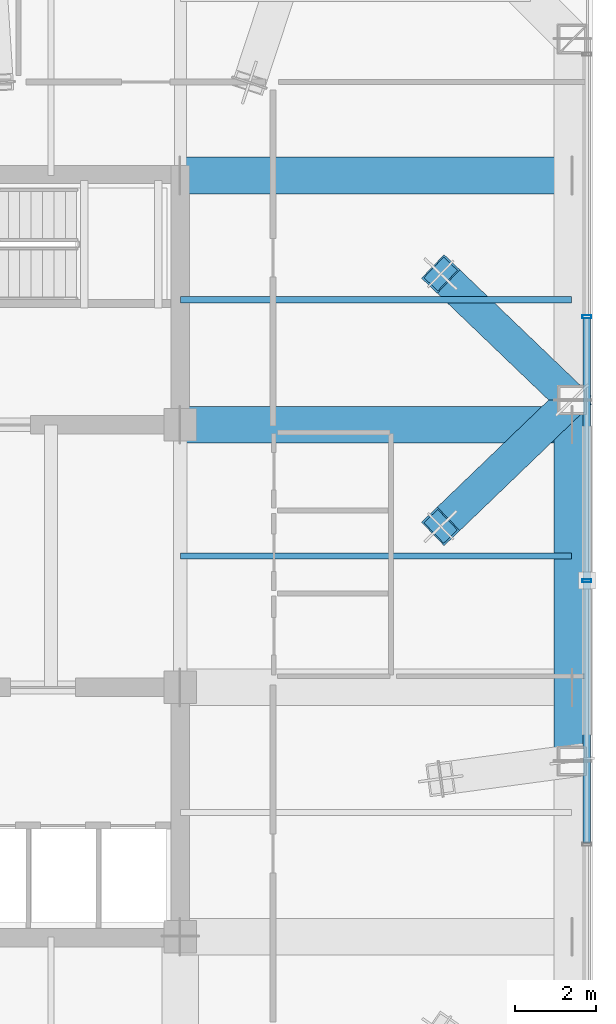
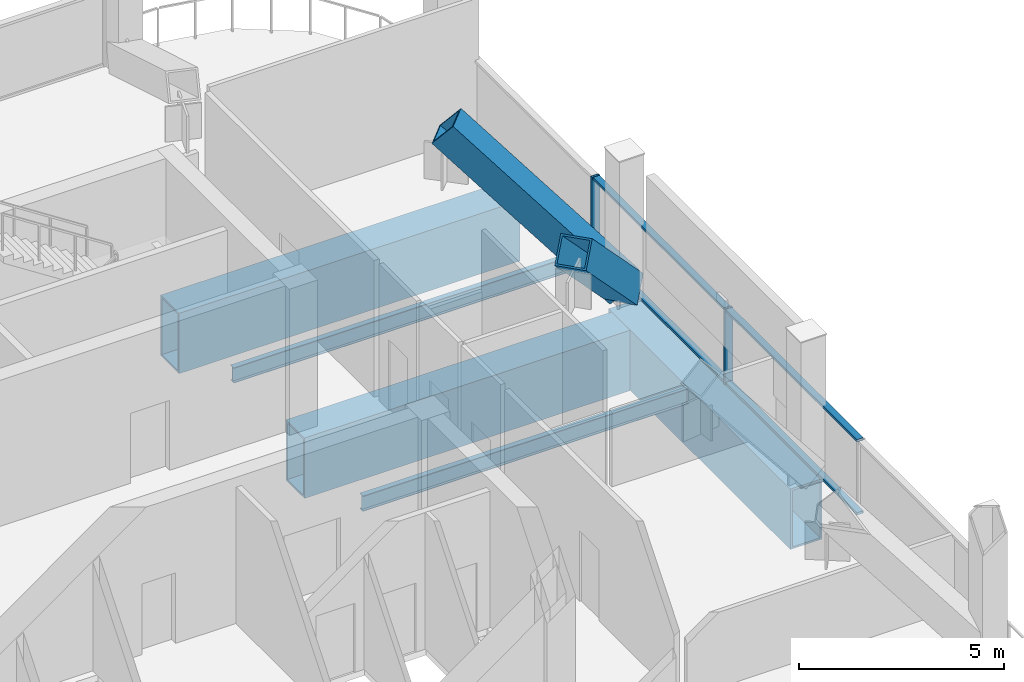
# One storey, part 9 of 19: 8 members, 5 beams, 1 element without a shape of its own.
"""IFC4 building model written with IfcOpenShell, lengths in metres."""

from ifc_helpers import new_model, si_unit, direction, frame, origin, origin_2d, place, context, subcontext, project, spatial, hollow_rectangle, i_section, extrude, material, layer, layer_set, material_profile, profile_set, type_object, element, aggregate, save


model = new_model("IFC4")

# Units and contexts
model_context = context("Model", 3, precision=1e-05, world=origin(), true_north=direction((0.0, 1.0)))
body_context = subcontext(model_context, "Body", "Model", "MODEL_VIEW")
ifc_project = project(units=[si_unit("LENGTHUNIT", "METRE"), si_unit("AREAUNIT", "SQUARE_METRE"), si_unit("VOLUMEUNIT", "CUBIC_METRE"), si_unit("PLANEANGLEUNIT", "RADIAN"), si_unit("MASSUNIT", "GRAM", prefix="KILO")], contexts=[model_context])

# Site, building, storey
site_placement = place(None, origin())
site = spatial("IfcSite", under=ifc_project, at=site_placement, CompositionType="ELEMENT")
building_placement = place(site_placement, origin())
building = spatial("IfcBuilding", under=site, at=building_placement, Name="Qhalaya Broadcast Tower", CompositionType="ELEMENT")
storey_placement = place(building_placement, frame((0.0, 0.0, 226.949951171875)))
storey = spatial("IfcBuildingStorey", under=building, at=storey_placement, Name="L67", CompositionType="ELEMENT", Elevation=226.949951171875)

# Beams
ifc_material_1 = material(Name="Structural Steel ASTM A572 Grade 50", Category="steel")
ifc_material_profile_1 = material_profile(ifc_material_1, hollow_rectangle(XDim=0.89990234375, YDim=1.800048828125, WallThickness=0.06005859375, at=origin_2d()), Name="BOX 900x1800x60")
ifc_profile_set_1 = profile_set([ifc_material_profile_1], Name="Structural Steel ASTM A572 Grade 50")
beam_type_1 = type_object("IfcBeamType", Name="Block Cantilever Transfer Box Girder TG1", PredefinedType="USERDEFINED", material=ifc_profile_set_1)
beam_placement = place(storey_placement, frame((19.0, -4.433349609375, -1.08984375), z_axis=(0.0, 1.0, 0.0), x_axis=(-1.0, 0.0, 0.0)))
element("IfcBeam", 1, at=beam_placement, inside=storey, type_object=beam_type_1, Name="L67 TG1 L67-SPR-06", ObjectType="GIRDER", PredefinedType="USERDEFINED", context=body_context, shape_type="SweptSolid", body=[
    extrude(hollow_rectangle(XDim=0.89990234375, YDim=1.800048828125, WallThickness=0.06005859375, at=origin_2d()), origin(), (0.0, 0.0, 1.0), 8.86669921875),
])
for number, where, z_axis, x_axis, name in (
    (2, (9.375, 3.824951171875, -1.08984375), (1.0, 0.0, 0.0), (0.0, 1.0, 0.0), "L67 TG1 L67-PGYE3-1"),
    (3, (9.375, 9.949951171875, -1.08984375), (1.0, 0.0, 0.0), (0.0, 1.0, 0.0), "L67 TG1 L67-PGYE4-1"),
):
    element("IfcBeam", number, at=place(storey_placement, frame(where, z_axis=z_axis, x_axis=x_axis)), inside=storey, type_object=beam_type_1, Name=name, ObjectType="GIRDER", PredefinedType="USERDEFINED", context=body_context, shape_type="SweptSolid", body=[
        extrude(hollow_rectangle(XDim=0.89990234375, YDim=1.800048828125, WallThickness=0.06005859375, at=origin_2d()), origin(), (0.0, 0.0, 1.0), 9.60498046875),
    ])
ifc_material_2 = material(Name="Structural Steel ASTM A992 Grade 50", Category="steel")
ifc_material_profile_2 = material_profile(ifc_material_2, i_section(OverallWidth=0.154052734375, OverallDepth=0.458984375, WebThickness=0.009033203125, FlangeThickness=0.015380859375, at=origin_2d()), Name="W18X46")
ifc_profile_set_2 = profile_set([ifc_material_profile_2], Name="Structural Steel ASTM A992 Grade 50")
beam_type_2 = type_object("IfcBeamType", Name="Composite Floor Joist J04", PredefinedType="JOIST", material=ifc_profile_set_2)
for number, where, z_axis, x_axis, name in (
    (4, (9.375, 0.60009765625, -0.41943359375), (1.0, 0.0, 0.0), (0.0, 1.0, 0.0), "L67 J04 L67-JWE4E-1"),
    (5, (9.375, 6.89990234375, -0.41943359375), (1.0, 0.0, 0.0), (0.0, 1.0, 0.0), "L67 J04 L67-JWE5E-1"),
):
    element("IfcBeam", number, at=place(storey_placement, frame(where, z_axis=z_axis, x_axis=x_axis)), inside=storey, type_object=beam_type_2, Name=name, PredefinedType="JOIST", context=body_context, shape_type="SweptSolid", body=[
        extrude(i_section(OverallWidth=0.154052734375, OverallDepth=0.458984375, WebThickness=0.009033203125, FlangeThickness=0.015380859375, at=origin_2d()), origin(), (0.0, 0.0, 1.0), 9.60498046875),
    ])

# Curtain wall, members
ifc_material_3 = material(Name="Fired Architectural Terracotta", Category="masonry")
ifc_layer = layer(ifc_material_3, 0.219970703125, Name="Fired Architectural Terracotta")
ifc_layer_set = layer_set([ifc_layer], Name="Fired Architectural Terracotta")
curtain_wall_type = type_object("IfcCurtainWallType", Name="Block-Cap Unitised Terracotta Spandrel Wall CW-07", PredefinedType="NOTDEFINED", material=ifc_layer_set)
curtain_wall_placement = place(storey_placement, origin())
curtain_wall = element("IfcCurtainWall", 6, at=curtain_wall_placement, inside=storey, type_object=curtain_wall_type, Name="L67 Unitised Curtain Wall L67-CW-E", PredefinedType="NOTDEFINED")
ifc_material_4 = material(Name="Anodised Aluminium 6063-T6", Category="aluminium")
ifc_material_profile_3 = material_profile(ifc_material_4, hollow_rectangle(XDim=0.074951171875, YDim=0.219970703125, WallThickness=0.00390625, at=origin_2d()), Name="ALU-MUL 75x220x4")
ifc_profile_set_3 = profile_set([ifc_material_profile_3], Name="Anodised Aluminium 6063-T6")
member_type_1 = type_object("IfcMemberType", Name="Unitised Curtain-Wall Mullion M01", PredefinedType="MULLION", material=ifc_profile_set_3)
member_1_placement = place(storey_placement, frame((19.360107421875, 6.48095703125, 0.0), z_axis=(0.0, 0.0, 1.0), x_axis=(0.0, -1.0, 0.0)))
member_1 = element("IfcMember", 7, at=member_1_placement, type_object=member_type_1, Name="CW-07 mullion 2", PredefinedType="MULLION", context=body_context, shape_type="SweptSolid", body=[
    extrude(hollow_rectangle(XDim=0.074951171875, YDim=0.219970703125, WallThickness=0.00390625, at=origin_2d()), origin(), (0.0, 0.0, 1.0), 2.25),
])
member_2_placement = place(storey_placement, frame((19.360107421875, 0.0, 0.0), z_axis=(0.0, 0.0, 1.0), x_axis=(0.0, -1.0, 0.0)))
member_2 = element("IfcMember", 8, at=member_2_placement, type_object=member_type_1, Name="CW-07 mullion 3", PredefinedType="MULLION", context=body_context, shape_type="SweptSolid", body=[
    extrude(hollow_rectangle(XDim=0.074951171875, YDim=0.219970703125, WallThickness=0.00390625, at=origin_2d()), origin(), (0.0, 0.0, 1.0), 2.25),
])
ifc_material_profile_4 = material_profile(ifc_material_4, hollow_rectangle(XDim=0.074951171875, YDim=0.179931640625, WallThickness=0.00390625, at=origin_2d()), Name="ALU-TRN 75x180x4")
ifc_profile_set_4 = profile_set([ifc_material_profile_4], Name="Anodised Aluminium 6063-T6")
member_type_2 = type_object("IfcMemberType", Name="Unitised Curtain-Wall Transom T01", PredefinedType="USERDEFINED", material=ifc_profile_set_4)
member_3_placement = place(storey_placement, frame((19.360107421875, 6.443603515625, 0.03759765625), z_axis=(0.0, -1.0, 0.0), x_axis=(0.0, 0.0, 1.0)))
member_3 = element("IfcMember", 9, at=member_3_placement, type_object=member_type_2, Name="CW-07 transom 2.1", ObjectType="TRANSOM", PredefinedType="USERDEFINED", context=body_context, shape_type="SweptSolid", body=[
    extrude(hollow_rectangle(XDim=0.074951171875, YDim=0.179931640625, WallThickness=0.00390625, at=origin_2d()), origin(), (0.0, 0.0, 1.0), 6.406005859375),
])
member_4_placement = place(storey_placement, frame((19.360107421875, 6.443603515625, 2.212646484375), z_axis=(0.0, -1.0, 0.0), x_axis=(0.0, 0.0, 1.0)))
member_4 = element("IfcMember", 10, at=member_4_placement, type_object=member_type_2, Name="CW-07 transom 2.2", ObjectType="TRANSOM", PredefinedType="USERDEFINED", context=body_context, shape_type="SweptSolid", body=[
    extrude(hollow_rectangle(XDim=0.074951171875, YDim=0.179931640625, WallThickness=0.00390625, at=origin_2d()), origin(), (0.0, 0.0, 1.0), 6.406005859375),
])
member_5_placement = place(storey_placement, frame((19.360107421875, -0.03759765625, 0.03759765625), z_axis=(0.0, -1.0, 0.0), x_axis=(0.0, 0.0, 1.0)))
member_5 = element("IfcMember", 11, at=member_5_placement, type_object=member_type_2, Name="CW-07 transom 3.1", ObjectType="TRANSOM", PredefinedType="USERDEFINED", context=body_context, shape_type="SweptSolid", body=[
    extrude(hollow_rectangle(XDim=0.074951171875, YDim=0.179931640625, WallThickness=0.00390625, at=origin_2d()), origin(), (0.0, 0.0, 1.0), 6.406005859375),
])
member_6_placement = place(storey_placement, frame((19.360107421875, -0.03759765625, 2.212646484375), z_axis=(0.0, -1.0, 0.0), x_axis=(0.0, 0.0, 1.0)))
member_6 = element("IfcMember", 12, at=member_6_placement, type_object=member_type_2, Name="CW-07 transom 3.2", ObjectType="TRANSOM", PredefinedType="USERDEFINED", context=body_context, shape_type="SweptSolid", body=[
    extrude(hollow_rectangle(XDim=0.074951171875, YDim=0.179931640625, WallThickness=0.00390625, at=origin_2d()), origin(), (0.0, 0.0, 1.0), 6.406005859375),
])
aggregate(curtain_wall, [member_1, member_2, member_3, member_4, member_5, member_6])

# Members
ifc_material_profile_5 = material_profile(ifc_material_1, hollow_rectangle(XDim=0.800048828125, YDim=0.800048828125, WallThickness=0.050048828125, at=origin_2d()), Name="BOX 800x800x50")
ifc_profile_set_5 = profile_set([ifc_material_profile_5], Name="Structural Steel ASTM A572 Grade 50")
member_type_3 = type_object("IfcMemberType", Name="Upper Exoskeleton Transfer Strut RK2", PredefinedType="BRACE", material=ifc_profile_set_5)
member_7_placement = place(storey_placement, frame((19.0, 4.433349609375, 0.306884765625), z_axis=(-0.535285834382, -0.514287093034, 0.670058103039), x_axis=(0.692821092565, -0.721109515745, 0.0)))
element("IfcMember", 13, at=member_7_placement, inside=storey, type_object=member_type_3, Name="L67 Inclined Exoskeleton Transfer Strut 07", PredefinedType="BRACE", context=body_context, shape_type="SweptSolid", body=[
    extrude(hollow_rectangle(XDim=0.800048828125, YDim=0.800048828125, WallThickness=0.050048828125, at=origin_2d()), origin(), (0.0, 0.0, 1.0), 6.0341796875),
])
member_8_placement = place(storey_placement, frame((19.0, 4.433349609375, 0.306884765625), z_axis=(-0.535586501089, 0.513482931202, 0.670434470486), x_axis=(-0.69205466352, -0.721845096056, 0.0)))
element("IfcMember", 14, at=member_8_placement, inside=storey, type_object=member_type_3, Name="L67 Inclined Exoskeleton Transfer Strut 08", PredefinedType="BRACE", context=body_context, shape_type="SweptSolid", body=[
    extrude(hollow_rectangle(XDim=0.800048828125, YDim=0.800048828125, WallThickness=0.050048828125, at=origin_2d()), origin(), (0.0, 0.0, 1.0), 6.03076171875),
])

save(model, "model.ifc")
